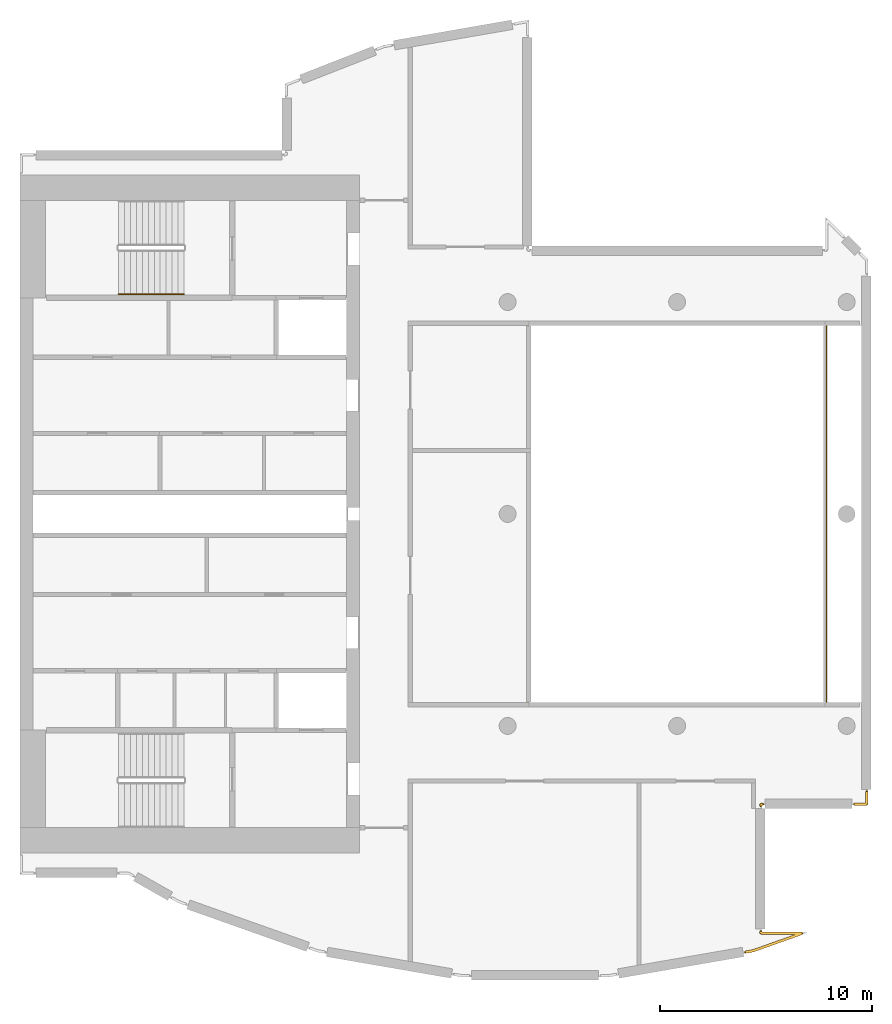
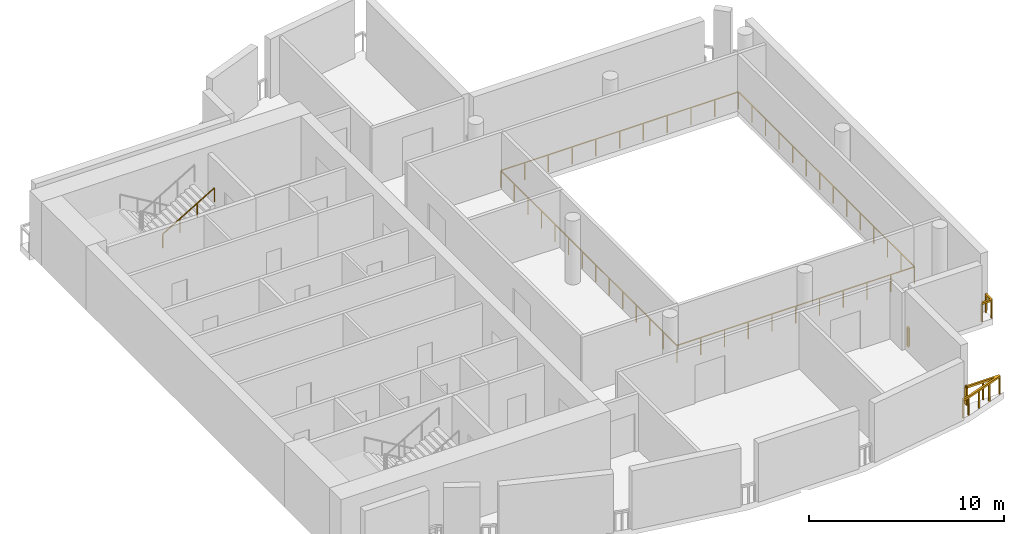
# One storey, part 6 of 8: 5 railings.
"""IFC4 building model written with IfcOpenShell, lengths in metres."""

from ifc_helpers import new_model, si_unit, direction, frame, origin, origin_2d, place, context, subcontext, project, spatial, rectangle, extrude, material, type_object, element, save


model = new_model("IFC4")

# Units and contexts
model_context = context("Model", 3, precision=1e-05, world=origin(), true_north=direction((0.0, 1.0)))
body_context = subcontext(model_context, "Body", "Model", "MODEL_VIEW")
ifc_project = project(units=[si_unit("LENGTHUNIT", "METRE"), si_unit("AREAUNIT", "SQUARE_METRE"), si_unit("VOLUMEUNIT", "CUBIC_METRE"), si_unit("PLANEANGLEUNIT", "RADIAN"), si_unit("MASSUNIT", "GRAM", prefix="KILO")], contexts=[model_context])

# Site, building, storey
site_placement = place(None, origin())
site = spatial("IfcSite", under=ifc_project, at=site_placement, CompositionType="ELEMENT")
building_placement = place(site_placement, origin())
building = spatial("IfcBuilding", under=site, at=building_placement, Name="Cypress Arch Tower", CompositionType="ELEMENT")
storey_placement = place(building_placement, frame((0.0, 0.0, 351.0)))
storey = spatial("IfcBuildingStorey", under=building, at=storey_placement, Name="L80", CompositionType="ELEMENT", Elevation=351.0)

# Railings
ifc_material_1 = material(Name="Stainless steel posts and handrail, laminated glass infill", Category="steel")
railing_type_1 = type_object("IfcRailingType", Name="Atrium guard GR1100A", PredefinedType="GUARDRAIL", material=ifc_material_1)
railing_1_placement = place(storey_placement, frame((8.050048828125, -9.050048828125, 0.0)))
element("IfcRailing", 1, at=railing_1_placement, inside=storey, type_object=railing_type_1, Name="Atrium guard L80", PredefinedType="GUARDRAIL", context=body_context, shape_type="SweptSolid", body=[
    extrude(rectangle(XDim=0.050048828125, YDim=0.050048828125, at=origin_2d()), frame((0.0, 0.0, 1.0751953125), z_axis=(-1.0, 0.0, 0.0), x_axis=(0.0, -1.0, 0.0)), (0.0, 0.0, 1.0), 14.10009765625),
    extrude(rectangle(XDim=0.050048828125, YDim=0.050048828125, at=origin_2d()), frame((-14.10009765625, 0.0, 1.0751953125), z_axis=(0.0, 1.0, 0.0), x_axis=(-1.0, 0.0, 0.0)), (0.0, 0.0, 1.0), 18.10009765625),
    extrude(rectangle(XDim=0.050048828125, YDim=0.050048828125, at=origin_2d()), frame((-14.10009765625, 18.10009765625, 1.0751953125), z_axis=(1.0, 0.0, 0.0), x_axis=(0.0, 1.0, 0.0)), (0.0, 0.0, 1.0), 14.10009765625),
    extrude(rectangle(XDim=0.050048828125, YDim=0.050048828125, at=origin_2d()), frame((0.0, 18.10009765625, 1.0751953125), z_axis=(0.0, -1.0, 0.0), x_axis=(1.0, 0.0, 0.0)), (0.0, 0.0, 1.0), 18.10009765625),
    extrude(rectangle(XDim=0.050048828125, YDim=0.050048828125, at=origin_2d()), origin(), (0.0, 0.0, 1.0), 1.050048828125),
    extrude(rectangle(XDim=0.050048828125, YDim=0.050048828125, at=origin_2d()), frame((-1.409912109375, 0.0, 0.0)), (0.0, 0.0, 1.0), 1.050048828125),
    extrude(rectangle(XDim=0.050048828125, YDim=0.050048828125, at=origin_2d()), frame((-2.820068359375, 0.0, 0.0)), (0.0, 0.0, 1.0), 1.050048828125),
    extrude(rectangle(XDim=0.050048828125, YDim=0.050048828125, at=origin_2d()), frame((-4.22998046875, 0.0, 0.0)), (0.0, 0.0, 1.0), 1.050048828125),
    extrude(rectangle(XDim=0.050048828125, YDim=0.050048828125, at=origin_2d()), frame((-5.64013671875, 0.0, 0.0)), (0.0, 0.0, 1.0), 1.050048828125),
    extrude(rectangle(XDim=0.050048828125, YDim=0.050048828125, at=origin_2d()), frame((-7.050048828125, 0.0, 0.0)), (0.0, 0.0, 1.0), 1.050048828125),
    extrude(rectangle(XDim=0.050048828125, YDim=0.050048828125, at=origin_2d()), frame((-8.4599609375, 0.0, 0.0)), (0.0, 0.0, 1.0), 1.050048828125),
    extrude(rectangle(XDim=0.050048828125, YDim=0.050048828125, at=origin_2d()), frame((-9.8701171875, 0.0, 0.0)), (0.0, 0.0, 1.0), 1.050048828125),
    extrude(rectangle(XDim=0.050048828125, YDim=0.050048828125, at=origin_2d()), frame((-11.280029296875, 0.0, 0.0)), (0.0, 0.0, 1.0), 1.050048828125),
    extrude(rectangle(XDim=0.050048828125, YDim=0.050048828125, at=origin_2d()), frame((-12.690185546875, 0.0, 0.0)), (0.0, 0.0, 1.0), 1.050048828125),
    extrude(rectangle(XDim=0.050048828125, YDim=0.050048828125, at=origin_2d()), frame((-14.10009765625, 0.0, 0.0)), (0.0, 0.0, 1.0), 1.050048828125),
    extrude(rectangle(XDim=0.050048828125, YDim=0.050048828125, at=origin_2d()), frame((-14.10009765625, 1.392333984375, 0.0)), (0.0, 0.0, 1.0), 1.050048828125),
    extrude(rectangle(XDim=0.050048828125, YDim=0.050048828125, at=origin_2d()), frame((-14.10009765625, 2.78466796875, 0.0)), (0.0, 0.0, 1.0), 1.050048828125),
    extrude(rectangle(XDim=0.050048828125, YDim=0.050048828125, at=origin_2d()), frame((-14.10009765625, 4.177001953125, 0.0)), (0.0, 0.0, 1.0), 1.050048828125),
    extrude(rectangle(XDim=0.050048828125, YDim=0.050048828125, at=origin_2d()), frame((-14.10009765625, 5.5693359375, 0.0)), (0.0, 0.0, 1.0), 1.050048828125),
    extrude(rectangle(XDim=0.050048828125, YDim=0.050048828125, at=origin_2d()), frame((-14.10009765625, 6.961669921875, 0.0)), (0.0, 0.0, 1.0), 1.050048828125),
    extrude(rectangle(XDim=0.050048828125, YDim=0.050048828125, at=origin_2d()), frame((-14.10009765625, 8.35400390625, 0.0)), (0.0, 0.0, 1.0), 1.050048828125),
    extrude(rectangle(XDim=0.050048828125, YDim=0.050048828125, at=origin_2d()), frame((-14.10009765625, 9.74609375, 0.0)), (0.0, 0.0, 1.0), 1.050048828125),
    extrude(rectangle(XDim=0.050048828125, YDim=0.050048828125, at=origin_2d()), frame((-14.10009765625, 11.138427734375, 0.0)), (0.0, 0.0, 1.0), 1.050048828125),
    extrude(rectangle(XDim=0.050048828125, YDim=0.050048828125, at=origin_2d()), frame((-14.10009765625, 12.53076171875, 0.0)), (0.0, 0.0, 1.0), 1.050048828125),
    extrude(rectangle(XDim=0.050048828125, YDim=0.050048828125, at=origin_2d()), frame((-14.10009765625, 13.923095703125, 0.0)), (0.0, 0.0, 1.0), 1.050048828125),
    extrude(rectangle(XDim=0.050048828125, YDim=0.050048828125, at=origin_2d()), frame((-14.10009765625, 15.3154296875, 0.0)), (0.0, 0.0, 1.0), 1.050048828125),
    extrude(rectangle(XDim=0.050048828125, YDim=0.050048828125, at=origin_2d()), frame((-14.10009765625, 16.707763671875, 0.0)), (0.0, 0.0, 1.0), 1.050048828125),
    extrude(rectangle(XDim=0.050048828125, YDim=0.050048828125, at=origin_2d()), frame((-14.10009765625, 18.10009765625, 0.0)), (0.0, 0.0, 1.0), 1.050048828125),
    extrude(rectangle(XDim=0.050048828125, YDim=0.050048828125, at=origin_2d()), frame((-12.690185546875, 18.10009765625, 0.0)), (0.0, 0.0, 1.0), 1.050048828125),
    extrude(rectangle(XDim=0.050048828125, YDim=0.050048828125, at=origin_2d()), frame((-11.280029296875, 18.10009765625, 0.0)), (0.0, 0.0, 1.0), 1.050048828125),
    extrude(rectangle(XDim=0.050048828125, YDim=0.050048828125, at=origin_2d()), frame((-9.8701171875, 18.10009765625, 0.0)), (0.0, 0.0, 1.0), 1.050048828125),
    extrude(rectangle(XDim=0.050048828125, YDim=0.050048828125, at=origin_2d()), frame((-8.4599609375, 18.10009765625, 0.0)), (0.0, 0.0, 1.0), 1.050048828125),
    extrude(rectangle(XDim=0.050048828125, YDim=0.050048828125, at=origin_2d()), frame((-7.050048828125, 18.10009765625, 0.0)), (0.0, 0.0, 1.0), 1.050048828125),
    extrude(rectangle(XDim=0.050048828125, YDim=0.050048828125, at=origin_2d()), frame((-5.64013671875, 18.10009765625, 0.0)), (0.0, 0.0, 1.0), 1.050048828125),
    extrude(rectangle(XDim=0.050048828125, YDim=0.050048828125, at=origin_2d()), frame((-4.22998046875, 18.10009765625, 0.0)), (0.0, 0.0, 1.0), 1.050048828125),
    extrude(rectangle(XDim=0.050048828125, YDim=0.050048828125, at=origin_2d()), frame((-2.820068359375, 18.10009765625, 0.0)), (0.0, 0.0, 1.0), 1.050048828125),
    extrude(rectangle(XDim=0.050048828125, YDim=0.050048828125, at=origin_2d()), frame((-1.409912109375, 18.10009765625, 0.0)), (0.0, 0.0, 1.0), 1.050048828125),
    extrude(rectangle(XDim=0.050048828125, YDim=0.050048828125, at=origin_2d()), frame((0.0, 18.10009765625, 0.0)), (0.0, 0.0, 1.0), 1.050048828125),
    extrude(rectangle(XDim=0.050048828125, YDim=0.050048828125, at=origin_2d()), frame((0.0, 16.707763671875, 0.0)), (0.0, 0.0, 1.0), 1.050048828125),
    extrude(rectangle(XDim=0.050048828125, YDim=0.050048828125, at=origin_2d()), frame((0.0, 15.3154296875, 0.0)), (0.0, 0.0, 1.0), 1.050048828125),
    extrude(rectangle(XDim=0.050048828125, YDim=0.050048828125, at=origin_2d()), frame((0.0, 13.923095703125, 0.0)), (0.0, 0.0, 1.0), 1.050048828125),
    extrude(rectangle(XDim=0.050048828125, YDim=0.050048828125, at=origin_2d()), frame((0.0, 12.53076171875, 0.0)), (0.0, 0.0, 1.0), 1.050048828125),
    extrude(rectangle(XDim=0.050048828125, YDim=0.050048828125, at=origin_2d()), frame((0.0, 11.138427734375, 0.0)), (0.0, 0.0, 1.0), 1.050048828125),
    extrude(rectangle(XDim=0.050048828125, YDim=0.050048828125, at=origin_2d()), frame((0.0, 9.74609375, 0.0)), (0.0, 0.0, 1.0), 1.050048828125),
    extrude(rectangle(XDim=0.050048828125, YDim=0.050048828125, at=origin_2d()), frame((0.0, 8.35400390625, 0.0)), (0.0, 0.0, 1.0), 1.050048828125),
    extrude(rectangle(XDim=0.050048828125, YDim=0.050048828125, at=origin_2d()), frame((0.0, 6.961669921875, 0.0)), (0.0, 0.0, 1.0), 1.050048828125),
    extrude(rectangle(XDim=0.050048828125, YDim=0.050048828125, at=origin_2d()), frame((0.0, 5.5693359375, 0.0)), (0.0, 0.0, 1.0), 1.050048828125),
    extrude(rectangle(XDim=0.050048828125, YDim=0.050048828125, at=origin_2d()), frame((0.0, 4.177001953125, 0.0)), (0.0, 0.0, 1.0), 1.050048828125),
    extrude(rectangle(XDim=0.050048828125, YDim=0.050048828125, at=origin_2d()), frame((0.0, 2.78466796875, 0.0)), (0.0, 0.0, 1.0), 1.050048828125),
    extrude(rectangle(XDim=0.050048828125, YDim=0.050048828125, at=origin_2d()), frame((0.0, 1.392333984375, 0.0)), (0.0, 0.0, 1.0), 1.050048828125),
])
ifc_material_2 = material(Name="Stainless steel posts and handrail, laminated glass infill", Category="steel")
railing_type_2 = type_object("IfcRailingType", Name="Deck guard GR1200D", PredefinedType="GUARDRAIL", material=ifc_material_2)
railing_2_placement = place(storey_placement, frame((4.949951171875, -19.68994140625, 0.0)))
element("IfcRailing", 2, at=railing_2_placement, inside=storey, type_object=railing_type_2, Name="Crown edge guard L80 13", PredefinedType="GUARDRAIL", context=body_context, shape_type="SweptSolid", body=[
    extrude(rectangle(XDim=0.1201171875, YDim=0.1201171875, at=origin_2d()), frame((0.0, 0.0, 1.139892578125), z_axis=(0.0, -1.0, 0.0), x_axis=(1.0, 0.0, 0.0)), (0.0, 0.0, 1.0), 0.10009765625),
    extrude(rectangle(XDim=0.1201171875, YDim=0.1201171875, at=origin_2d()), frame((0.0, -0.10009765625, 1.139892578125), z_axis=(1.0, 0.0, 0.0), x_axis=(0.0, 1.0, 0.0)), (0.0, 0.0, 1.0), 1.949951171875),
    extrude(rectangle(XDim=0.1201171875, YDim=0.1201171875, at=origin_2d()), frame((1.949951171875, -0.10009765625, 1.139892578125), z_axis=(-0.942303280512, -0.33476040318, 0.0), x_axis=(0.33476040318, -0.942303280512, 0.0)), (0.0, 0.0, 1.0), 2.4541015625),
    extrude(rectangle(XDim=0.1201171875, YDim=0.1201171875, at=origin_2d()), frame((-0.362548828125, -0.921630859375, 1.139892578125), z_axis=(-0.9854712993, -0.169842039132, 0.0), x_axis=(0.169842039132, -0.9854712993, 0.0)), (0.0, 0.0, 1.0), 0.3779296875),
    extrude(rectangle(XDim=0.080078125, YDim=0.080078125, at=origin_2d()), origin(), (0.0, 0.0, 1.0), 1.079833984375),
    extrude(rectangle(XDim=0.080078125, YDim=0.080078125, at=origin_2d()), frame((0.0, -0.10009765625, 0.0)), (0.0, 0.0, 1.0), 1.079833984375),
    extrude(rectangle(XDim=0.080078125, YDim=0.080078125, at=origin_2d()), frame((0.97509765625, -0.10009765625, 0.0)), (0.0, 0.0, 1.0), 1.079833984375),
    extrude(rectangle(XDim=0.080078125, YDim=0.080078125, at=origin_2d()), frame((1.949951171875, -0.10009765625, 0.0)), (0.0, 0.0, 1.0), 1.079833984375),
    extrude(rectangle(XDim=0.080078125, YDim=0.080078125, at=origin_2d()), frame((1.17919921875, -0.3740234375, 0.0)), (0.0, 0.0, 1.0), 1.079833984375),
    extrude(rectangle(XDim=0.080078125, YDim=0.080078125, at=origin_2d()), frame((0.408203125, -0.647705078125, 0.0)), (0.0, 0.0, 1.0), 1.079833984375),
    extrude(rectangle(XDim=0.080078125, YDim=0.080078125, at=origin_2d()), frame((-0.362548828125, -0.921630859375, 0.0)), (0.0, 0.0, 1.0), 1.079833984375),
    extrude(rectangle(XDim=0.080078125, YDim=0.080078125, at=origin_2d()), frame((-0.735107421875, -0.98583984375, 0.0)), (0.0, 0.0, 1.0), 1.079833984375),
])
railing_3_placement = place(storey_placement, frame((5.050048828125, -13.68994140625, 0.0)))
element("IfcRailing", 3, at=railing_3_placement, inside=storey, type_object=railing_type_2, Name="Crown edge guard L80 14", PredefinedType="GUARDRAIL", context=body_context, shape_type="SweptSolid", body=[
    extrude(rectangle(XDim=0.1201171875, YDim=0.1201171875, at=origin_2d()), frame((0.0, 0.0, 1.139892578125), z_axis=(-1.0, 0.0, 0.0), x_axis=(0.0, -1.0, 0.0)), (0.0, 0.0, 1.0), 0.10009765625),
    extrude(rectangle(XDim=0.1201171875, YDim=0.1201171875, at=origin_2d()), frame((-0.10009765625, 0.0, 1.139892578125), z_axis=(0.0, -1.0, 0.0), x_axis=(1.0, 0.0, 0.0)), (0.0, 0.0, 1.0), 0.10009765625),
    extrude(rectangle(XDim=0.080078125, YDim=0.080078125, at=origin_2d()), origin(), (0.0, 0.0, 1.0), 1.079833984375),
    extrude(rectangle(XDim=0.080078125, YDim=0.080078125, at=origin_2d()), frame((-0.10009765625, 0.0, 0.0)), (0.0, 0.0, 1.0), 1.079833984375),
    extrude(rectangle(XDim=0.080078125, YDim=0.080078125, at=origin_2d()), frame((-0.10009765625, -0.10009765625, 0.0)), (0.0, 0.0, 1.0), 1.079833984375),
])
railing_4_placement = place(storey_placement, frame((9.949951171875, -13.090087890625, 0.0)))
element("IfcRailing", 4, at=railing_4_placement, inside=storey, type_object=railing_type_2, Name="Crown edge guard L80 16", PredefinedType="GUARDRAIL", context=body_context, shape_type="SweptSolid", body=[
    extrude(rectangle(XDim=0.1201171875, YDim=0.1201171875, at=origin_2d()), frame((0.0, 0.0, 1.139892578125), z_axis=(0.0, -1.0, 0.0), x_axis=(1.0, 0.0, 0.0)), (0.0, 0.0, 1.0), 0.599853515625),
    extrude(rectangle(XDim=0.1201171875, YDim=0.1201171875, at=origin_2d()), frame((0.0, -0.599853515625, 1.139892578125), z_axis=(-1.0, 0.0, 0.0), x_axis=(0.0, -1.0, 0.0)), (0.0, 0.0, 1.0), 0.599853515625),
    extrude(rectangle(XDim=0.080078125, YDim=0.080078125, at=origin_2d()), origin(), (0.0, 0.0, 1.0), 1.079833984375),
    extrude(rectangle(XDim=0.080078125, YDim=0.080078125, at=origin_2d()), frame((0.0, -0.599853515625, 0.0)), (0.0, 0.0, 1.0), 1.079833984375),
    extrude(rectangle(XDim=0.080078125, YDim=0.080078125, at=origin_2d()), frame((-0.599853515625, -0.599853515625, 0.0)), (0.0, 0.0, 1.0), 1.079833984375),
])
ifc_material_3 = material(Name="Black powder-coated steel square bar 48 mm", Category="steel")
railing_type_3 = type_object("IfcRailingType", Name="Stair handrail HR1", PredefinedType="HANDRAIL", material=ifc_material_3)
railing_5_placement = place(storey_placement, frame((-25.35498046875, 10.375, 2.166748046875)))
element("IfcRailing", 5, at=railing_5_placement, inside=storey, type_object=railing_type_3, Name="L80 B stair handrail 2", PredefinedType="HANDRAIL", context=body_context, shape_type="SweptSolid", body=[
    extrude(rectangle(XDim=0.048095703125, YDim=0.048095703125, at=origin_2d()), frame((0.0, 0.0, 0.8759765625), z_axis=(0.859308565015, 0.0, 0.511457515432), x_axis=(0.0, 1.0, 0.0)), (0.0, 0.0, 1.0), 3.58447265625),
    extrude(rectangle(XDim=0.0419921875, YDim=0.0419921875, at=origin_2d()), origin(), (0.0, 0.0, 1.0), 0.851806640625),
    extrude(rectangle(XDim=0.0419921875, YDim=0.0419921875, at=origin_2d()), frame((1.026611328125, 0.0, 0.611083984375)), (0.0, 0.0, 1.0), 0.851806640625),
    extrude(rectangle(XDim=0.0419921875, YDim=0.0419921875, at=origin_2d()), frame((2.053466796875, 0.0, 1.22216796875)), (0.0, 0.0, 1.0), 0.851806640625),
    extrude(rectangle(XDim=0.0419921875, YDim=0.0419921875, at=origin_2d()), frame((3.080078125, 0.0, 1.833251953125)), (0.0, 0.0, 1.0), 0.851806640625),
])

save(model, "model.ifc")
